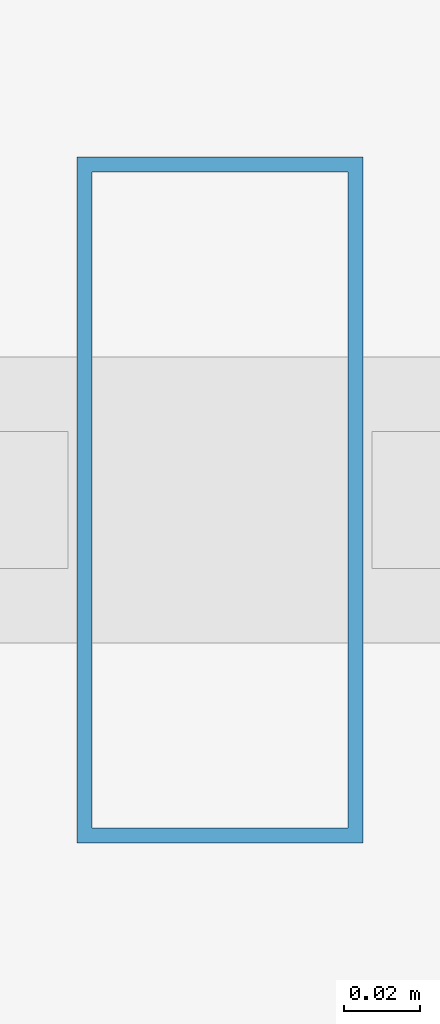
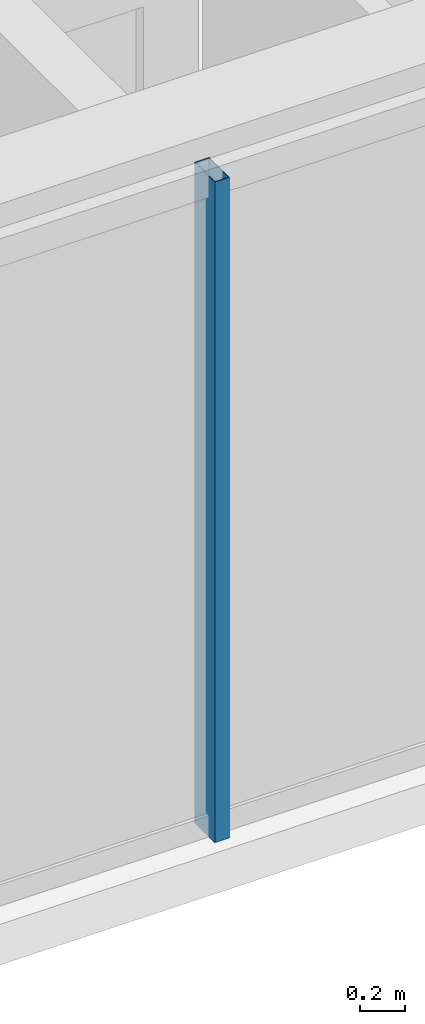
# One storey, part 3 of 32: 1 member, 1 element without a shape of its own.
"""IFC4 building model written with IfcOpenShell, lengths in metres."""

from ifc_helpers import new_model, si_unit, direction, frame, origin, origin_2d, place, context, subcontext, project, spatial, hollow_rectangle, extrude, material, layer, layer_set, material_profile, profile_set, type_object, element, aggregate, save


model = new_model("IFC4")

# Units and contexts
model_context = context("Model", 3, precision=1e-05, world=origin(), true_north=direction((0.0, 1.0)))
body_context = subcontext(model_context, "Body", "Model", "MODEL_VIEW")
ifc_project = project(units=[si_unit("LENGTHUNIT", "METRE"), si_unit("AREAUNIT", "SQUARE_METRE"), si_unit("VOLUMEUNIT", "CUBIC_METRE"), si_unit("PLANEANGLEUNIT", "RADIAN"), si_unit("MASSUNIT", "GRAM", prefix="KILO")], contexts=[model_context])

# Site, building, storey
site_placement = place(None, origin())
site = spatial("IfcSite", under=ifc_project, at=site_placement, CompositionType="ELEMENT")
building_placement = place(site_placement, origin())
building = spatial("IfcBuilding", under=site, at=building_placement, Name="Ndaravel Arena Tower", CompositionType="ELEMENT")
storey_placement = place(building_placement, frame((0.0, 0.0, 66.39990234375)))
storey = spatial("IfcBuildingStorey", under=building, at=storey_placement, Name="L14", CompositionType="ELEMENT", Elevation=66.39990234375)

# Curtain wall, member
ifc_material_1 = material(Name="Aluminium", Category="aluminium")
ifc_layer = layer(ifc_material_1, 0.179931640625)
ifc_layer_set = layer_set([ifc_layer], Name="Aluminium")
curtain_wall_type = type_object("IfcCurtainWallType", Name="CW-SYS-03", PredefinedType="NOTDEFINED", material=ifc_layer_set)
curtain_wall_placement = place(storey_placement, origin())
curtain_wall = element("IfcCurtainWall", 1, at=curtain_wall_placement, inside=storey, type_object=curtain_wall_type, Name="L14 Faceted Crystal Curtain Wall CW-L14-E01", PredefinedType="NOTDEFINED")
ifc_material_2 = material(Name="Aluminium", Category="aluminium")
ifc_material_profile = material_profile(ifc_material_2, hollow_rectangle(XDim=0.074951171875, YDim=0.179931640625, WallThickness=0.00390625, at=origin_2d()), Name="CW MULLION 75x180x4")
ifc_profile_set = profile_set([ifc_material_profile], Name="Aluminium")
member_type = type_object("IfcMemberType", Name="MEM-CW-MUL180", PredefinedType="MULLION", material=ifc_profile_set)
member_placement = place(storey_placement, frame((30.7607421875, 5.159912109375, 0.0), z_axis=(0.0, 0.0, 1.0), x_axis=(1.0, 0.0, 0.0)))
member = element("IfcMember", 2, at=member_placement, type_object=member_type, Name="CW-L14-E01 Mullion 01", PredefinedType="MULLION", context=body_context, shape_type="SweptSolid", body=[
    extrude(hollow_rectangle(XDim=0.074951171875, YDim=0.179931640625, WallThickness=0.00390625, at=origin_2d()), origin(), (0.0, 0.0, 1.0), 3.580078125),
])
aggregate(curtain_wall, [member])

save(model, "model.ifc")
